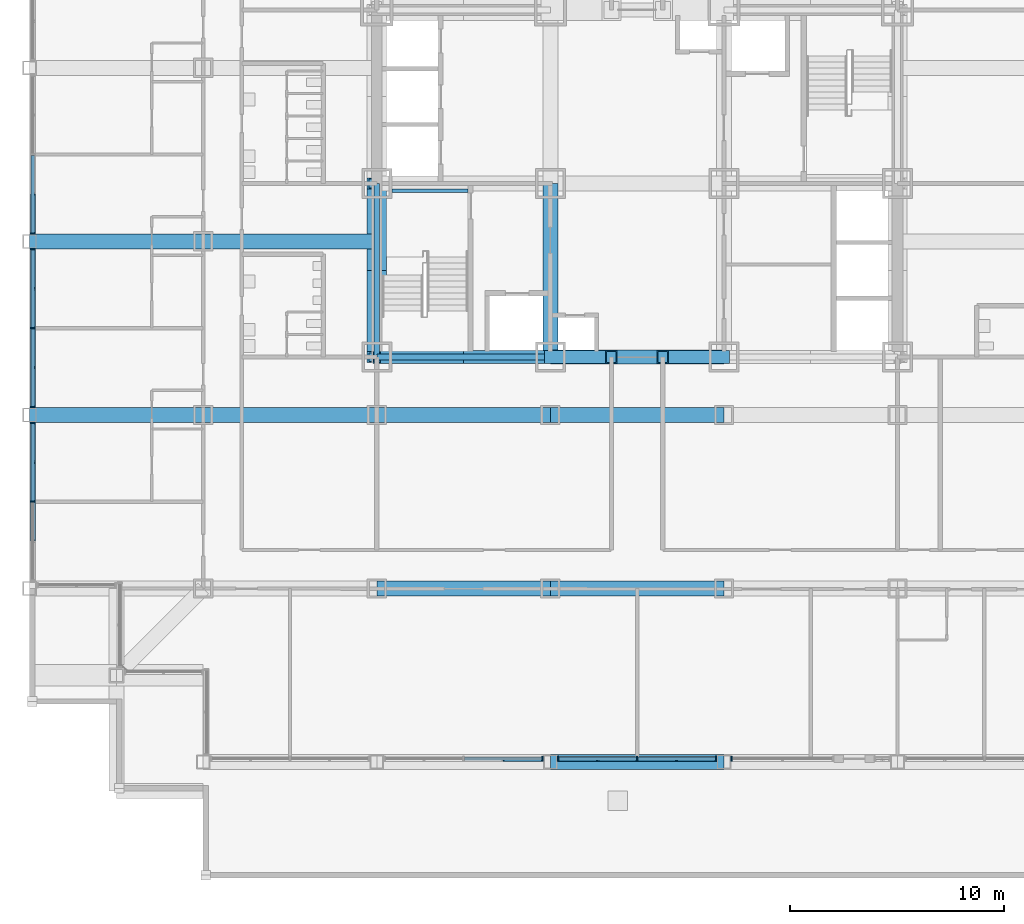
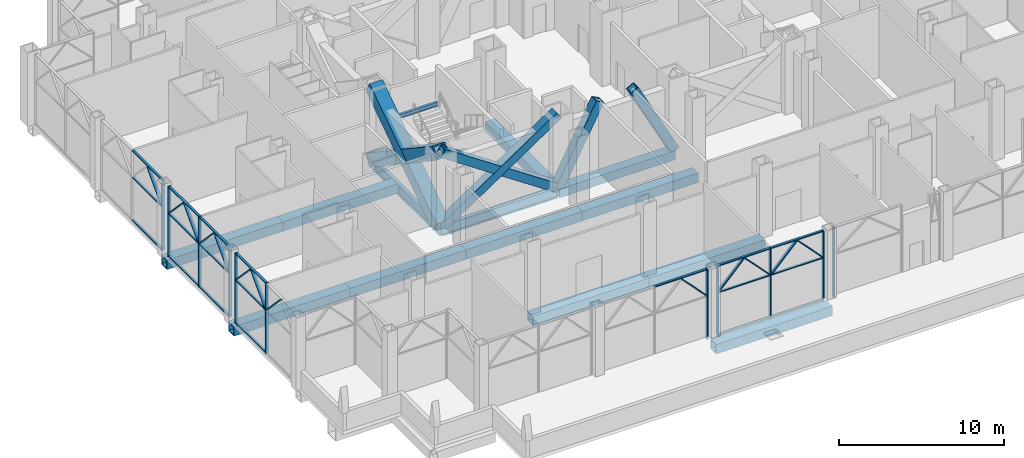
# One storey, part 3 of 26: 49 members, 14 beams, 6 elements without a shape of their own.
"""IFC4 building model written with IfcOpenShell, lengths in metres."""

from ifc_helpers import new_model, si_unit, direction, frame, origin, origin_2d, place, context, subcontext, project, spatial, rectangle, hollow_rectangle, i_section, extrude, material, material_profile, profile_set, type_object, element, aggregate, save


model = new_model("IFC4")

# Units and contexts
model_context = context("Model", 3, precision=1e-05, world=origin(), true_north=direction((0.0, 1.0)))
body_context = subcontext(model_context, "Body", "Model", "MODEL_VIEW")
ifc_project = project(units=[si_unit("LENGTHUNIT", "METRE"), si_unit("AREAUNIT", "SQUARE_METRE"), si_unit("VOLUMEUNIT", "CUBIC_METRE"), si_unit("PLANEANGLEUNIT", "RADIAN"), si_unit("MASSUNIT", "GRAM", prefix="KILO")], contexts=[model_context])

# Site, building, storey
site_placement = place(None, origin())
site = spatial("IfcSite", under=ifc_project, at=site_placement, CompositionType="ELEMENT")
building_placement = place(site_placement, origin())
building = spatial("IfcBuilding", under=site, at=building_placement, Name="Kopane Lantern Tower", CompositionType="ELEMENT")
storey_placement = place(building_placement, frame((0.0, 0.0, 98.0)))
storey = spatial("IfcBuildingStorey", under=building, at=storey_placement, Name="L24", CompositionType="ELEMENT", Elevation=98.0)

# Members
ifc_material_1 = material(Name="Steel S355JR", Category="steel")
ifc_material_profile_1 = material_profile(ifc_material_1, hollow_rectangle(XDim=0.60009765625, YDim=0.60009765625, WallThickness=0.050048828125, at=origin_2d()), Name="BOX 600x600x50")
ifc_profile_set_1 = profile_set([ifc_material_profile_1], Name="Steel S355JR")
member_type_1 = type_object("IfcMemberType", Name="BRACE BOX 600x600x50", PredefinedType="BRACE", material=ifc_profile_set_1)
for number, where, z_axis, x_axis, name in (
    (1, (16.199951171875, 24.300048828125, -0.25), (0.830159256911, 0.0, 0.557526329571), (0.0, 1.0, 0.0), "Core brace L24"),
    (2, (24.300048828125, 24.300048828125, -0.25), (-0.830159256911, 0.0, 0.557526329571), (0.0, -1.0, 0.0), "Core brace L24"),
):
    element("IfcMember", number, at=place(storey_placement, frame(where, z_axis=z_axis, x_axis=x_axis)), inside=storey, type_object=member_type_1, Name=name, PredefinedType="BRACE", context=body_context, shape_type="SweptSolid", body=[
        extrude(hollow_rectangle(XDim=0.60009765625, YDim=0.60009765625, WallThickness=0.050048828125, at=origin_2d()), origin(), (0.0, 0.0, 1.0), 9.75732421875),
    ])
for number, where, z_axis, x_axis, name in (
    (3, (24.300048828125, 24.300048828125, -0.25), (0.464053044063, 0.0, 0.885807412645), (0.0, 1.0, 0.0), "Core brace L24"),
    (4, (32.39990234375, 24.300048828125, -0.25), (-0.464053044063, 0.0, 0.885807412645), (0.0, -1.0, 0.0), "Core brace L24"),
):
    element("IfcMember", number, at=place(storey_placement, frame(where, z_axis=z_axis, x_axis=x_axis)), inside=storey, type_object=member_type_1, Name=name, PredefinedType="BRACE", context=body_context, shape_type="SweptSolid", body=[
        extrude(hollow_rectangle(XDim=0.60009765625, YDim=0.60009765625, WallThickness=0.050048828125, at=origin_2d()), origin(), (0.0, 0.0, 1.0), 6.14111328125),
    ])
ifc_material_2 = material(Name="Steel S355JR", Category="steel")
ifc_material_profile_2 = material_profile(ifc_material_2, hollow_rectangle(XDim=0.89990234375, YDim=0.89990234375, WallThickness=0.090087890625, at=origin_2d()), Name="BOX 900x900x90")
ifc_profile_set_2 = profile_set([ifc_material_profile_2], Name="Steel S355JR")
member_type_2 = type_object("IfcMemberType", Name="BRACE BOX 900x900x90", PredefinedType="BRACE", material=ifc_profile_set_2)
for number, where, z_axis, x_axis, name in (
    (5, (16.199951171875, 24.300048828125, -0.25), (0.0, 0.830151479134, 0.557537910542), (-1.0, 0.0, 0.0), "Core brace L24"),
    (6, (16.199951171875, 32.39990234375, -0.25), (0.0, -0.830151479134, 0.557537910542), (1.0, 0.0, 0.0), "Core brace L24"),
):
    element("IfcMember", number, at=place(storey_placement, frame(where, z_axis=z_axis, x_axis=x_axis)), inside=storey, type_object=member_type_2, Name=name, PredefinedType="BRACE", context=body_context, shape_type="SweptSolid", body=[
        extrude(hollow_rectangle(XDim=0.89990234375, YDim=0.89990234375, WallThickness=0.090087890625, at=origin_2d()), origin(), (0.0, 0.0, 1.0), 9.757080078125),
    ])

# Beams
ifc_material_3 = material(Name="Steel S355JR", Category="steel")
ifc_material_profile_3 = material_profile(ifc_material_3, hollow_rectangle(XDim=0.699951171875, YDim=0.699951171875, WallThickness=0.06005859375, at=origin_2d()), Name="BOX 700x700x60")
ifc_profile_set_3 = profile_set([ifc_material_profile_3], Name="Steel S355JR")
beam_type_1 = type_object("IfcBeamType", Name="CORE BEAM BOX 700x700x60", PredefinedType="BEAM", material=ifc_profile_set_3)
beam_1_placement = place(storey_placement, frame((24.300048828125, 24.300048828125, -0.60009765625), z_axis=(0.0, 1.0, 0.0), x_axis=(-1.0, 0.0, 0.0)))
element("IfcBeam", 7, at=beam_1_placement, inside=storey, type_object=beam_type_1, Name="Core Beam L24", PredefinedType="BEAM", context=body_context, shape_type="SweptSolid", body=[
    extrude(hollow_rectangle(XDim=0.699951171875, YDim=0.699951171875, WallThickness=0.06005859375, at=origin_2d()), origin(), (0.0, 0.0, 1.0), 8.099853515625),
])
ifc_material_4 = material(Name="Steel S355JR", Category="steel")
ifc_material_profile_4 = material_profile(ifc_material_4, hollow_rectangle(XDim=0.699951171875, YDim=0.699951171875, WallThickness=0.06005859375, at=origin_2d()), Name="BOX 700x700x60")
ifc_profile_set_4 = profile_set([ifc_material_profile_4], Name="Steel S355JR")
beam_type_2 = type_object("IfcBeamType", Name="GIRDER BOX 700x700x60", PredefinedType="BEAM", material=ifc_profile_set_4)
for number, where, z_axis, x_axis, name in (
    (8, (0.0, 21.60009765625, -0.60009765625), (1.0, 0.0, 0.0), (0.0, 1.0, 0.0), "Girder L24"),
    (9, (0.0, 29.699951171875, -0.60009765625), (1.0, 0.0, 0.0), (0.0, 1.0, 0.0), "Girder L24"),
):
    element("IfcBeam", number, at=place(storey_placement, frame(where, z_axis=z_axis, x_axis=x_axis)), inside=storey, type_object=beam_type_2, Name=name, PredefinedType="BEAM", context=body_context, shape_type="SweptSolid", body=[
        extrude(hollow_rectangle(XDim=0.699951171875, YDim=0.699951171875, WallThickness=0.06005859375, at=origin_2d()), origin(), (0.0, 0.0, 1.0), 8.10009765625),
    ])
for number, where, z_axis, x_axis, name in (
    (10, (8.10009765625, 21.60009765625, -0.60009765625), (1.0, 0.0, 0.0), (0.0, 1.0, 0.0), "Girder L24"),
    (11, (8.10009765625, 29.699951171875, -0.60009765625), (1.0, 0.0, 0.0), (0.0, 1.0, 0.0), "Girder L24"),
):
    element("IfcBeam", number, at=place(storey_placement, frame(where, z_axis=z_axis, x_axis=x_axis)), inside=storey, type_object=beam_type_2, Name=name, PredefinedType="BEAM", context=body_context, shape_type="SweptSolid", body=[
        extrude(hollow_rectangle(XDim=0.699951171875, YDim=0.699951171875, WallThickness=0.06005859375, at=origin_2d()), origin(), (0.0, 0.0, 1.0), 8.099853515625),
    ])
for number, where, z_axis, x_axis, name in (
    (12, (16.199951171875, 13.5, -0.60009765625), (1.0, 0.0, 0.0), (0.0, 1.0, 0.0), "Girder L24"),
    (13, (16.199951171875, 21.60009765625, -0.60009765625), (1.0, 0.0, 0.0), (0.0, 1.0, 0.0), "Girder L24"),
):
    element("IfcBeam", number, at=place(storey_placement, frame(where, z_axis=z_axis, x_axis=x_axis)), inside=storey, type_object=beam_type_2, Name=name, PredefinedType="BEAM", context=body_context, shape_type="SweptSolid", body=[
        extrude(hollow_rectangle(XDim=0.699951171875, YDim=0.699951171875, WallThickness=0.06005859375, at=origin_2d()), origin(), (0.0, 0.0, 1.0), 8.10009765625),
    ])
for number, where, z_axis, x_axis, name in (
    (14, (24.300048828125, 5.39990234375, -0.60009765625), (1.0, 0.0, 0.0), (0.0, 1.0, 0.0), "Girder L24"),
    (15, (24.300048828125, 13.5, -0.60009765625), (1.0, 0.0, 0.0), (0.0, 1.0, 0.0), "Girder L24"),
    (16, (24.300048828125, 21.60009765625, -0.60009765625), (1.0, 0.0, 0.0), (0.0, 1.0, 0.0), "Girder L24"),
):
    element("IfcBeam", number, at=place(storey_placement, frame(where, z_axis=z_axis, x_axis=x_axis)), inside=storey, type_object=beam_type_2, Name=name, PredefinedType="BEAM", context=body_context, shape_type="SweptSolid", body=[
        extrude(hollow_rectangle(XDim=0.699951171875, YDim=0.699951171875, WallThickness=0.06005859375, at=origin_2d()), origin(), (0.0, 0.0, 1.0), 8.099853515625),
    ])
ifc_material_5 = material(Name="Steel S355JR", Category="steel")
ifc_material_profile_5 = material_profile(ifc_material_5, i_section(OverallWidth=0.2666015625, OverallDepth=0.76220703125, WebThickness=0.014404296875, FlangeThickness=0.021484375, FilletRadius=0.0166015625, at=origin_2d()), Name="UB 762x267x173")
ifc_profile_set_5 = profile_set([ifc_material_profile_5], Name="Steel S355JR")
beam_type_3 = type_object("IfcBeamType", Name="GIRDER UB 762x267x173", PredefinedType="BEAM", material=ifc_profile_set_5)
beam_2_placement = place(storey_placement, frame((16.199951171875, 24.300048828125, -0.631103515625), z_axis=(0.0, 1.0, 0.0), x_axis=(-1.0, 0.0, 0.0)))
element("IfcBeam", 17, at=beam_2_placement, inside=storey, type_object=beam_type_3, Name="Girder L24", PredefinedType="BEAM", context=body_context, shape_type="SweptSolid", body=[
    extrude(i_section(OverallWidth=0.2666015625, OverallDepth=0.76220703125, WebThickness=0.014404296875, FlangeThickness=0.021484375, FilletRadius=0.0166015625, at=origin_2d()), origin(), (0.0, 0.0, 1.0), 8.099853515625),
])
beam_3_placement = place(storey_placement, frame((16.199951171875, 24.300048828125, -0.631103515625), z_axis=(1.0, 0.0, 0.0), x_axis=(0.0, 1.0, 0.0)))
element("IfcBeam", 18, at=beam_3_placement, inside=storey, type_object=beam_type_3, Name="Girder L24", PredefinedType="BEAM", context=body_context, shape_type="SweptSolid", body=[
    extrude(i_section(OverallWidth=0.2666015625, OverallDepth=0.76220703125, WebThickness=0.014404296875, FlangeThickness=0.021484375, FilletRadius=0.0166015625, at=origin_2d()), origin(), (0.0, 0.0, 1.0), 8.10009765625),
])
ifc_material_6 = material(Name="Steel S355JR", Category="steel")
ifc_material_profile_6 = material_profile(ifc_material_6, hollow_rectangle(XDim=0.64990234375, YDim=0.64990234375, WallThickness=0.070068359375, at=origin_2d()), Name="BOX 650x650x70")
ifc_profile_set_6 = profile_set([ifc_material_profile_6], Name="Steel S355JR")
beam_type_4 = type_object("IfcBeamType", Name="LINK BEAM BOX 650x650x70", PredefinedType="BEAM", material=ifc_profile_set_6)
beam_4_placement = place(storey_placement, frame((24.300048828125, 24.300048828125, -0.574951171875), z_axis=(1.0, 0.0, 0.0), x_axis=(0.0, 1.0, 0.0)))
element("IfcBeam", 19, at=beam_4_placement, inside=storey, type_object=beam_type_4, Name="Link Beam L24", PredefinedType="BEAM", context=body_context, shape_type="SweptSolid", body=[
    extrude(hollow_rectangle(XDim=0.64990234375, YDim=0.64990234375, WallThickness=0.070068359375, at=origin_2d()), origin(), (0.0, 0.0, 1.0), 8.099853515625),
])

# Curtain wall, members
ifc_material_7 = material(Name="Aluminium and clear glass", Category="aluminium")
curtain_wall_type = type_object("IfcCurtainWallType", Name="CURTAIN WALL CW3 SKY LOBBY", PredefinedType="USERDEFINED", material=ifc_material_7)
curtain_wall_1_placement = place(storey_placement, origin())
curtain_wall_1 = element("IfcCurtainWall", 20, at=curtain_wall_1_placement, inside=storey, type_object=curtain_wall_type, Name="Curtain wall CW3 S L24", ObjectType="CURTAIN WALL", PredefinedType="USERDEFINED")
ifc_material_8 = material(Name="Aluminium", Category="aluminium")
ifc_material_profile_7 = material_profile(ifc_material_8, rectangle(XDim=0.070068359375, YDim=0.22509765625, at=origin_2d()), Name="AL 70x225")
ifc_profile_set_7 = profile_set([ifc_material_profile_7], Name="Aluminium")
member_type_3 = type_object("IfcMemberType", Name="MULLION CW3-M 70x225", PredefinedType="MULLION", material=ifc_profile_set_7)
member_1_placement = place(storey_placement, frame((23.93505859375, 5.550048828125, 0.0), z_axis=(0.0, 0.0, 1.0), x_axis=(1.0, 0.0, 0.0)))
member_1 = element("IfcMember", 21, at=member_1_placement, type_object=member_type_3, Name="CW3 mullion 3", PredefinedType="MULLION", context=body_context, shape_type="SweptSolid", body=[
    extrude(rectangle(XDim=0.070068359375, YDim=0.22509765625, at=origin_2d()), origin(), (0.0, 0.0, 1.0), 5.18994140625),
])
member_2_placement = place(storey_placement, frame((23.87451171875, 5.550048828125, 3.2490234375), z_axis=(-0.689164705863, 0.0, 0.724604725483), x_axis=(0.724604725483, 0.0, 0.689164705863)))
member_2 = element("IfcMember", 22, at=member_2_placement, type_object=member_type_3, Name="CW3 lancet mullion 2R", PredefinedType="MULLION", context=body_context, shape_type="SweptSolid", body=[
    extrude(rectangle(XDim=0.070068359375, YDim=0.22509765625, at=origin_2d()), origin(), (0.0, 0.0, 1.0), 2.548828125),
])

curtain_wall_2_placement = place(storey_placement, origin())
curtain_wall_2 = element("IfcCurtainWall", 23, at=curtain_wall_2_placement, inside=storey, type_object=curtain_wall_type, Name="Curtain wall CW3 S L24", ObjectType="CURTAIN WALL", PredefinedType="USERDEFINED")
member_3_placement = place(storey_placement, frame((24.6650390625, 5.550048828125, 0.0), z_axis=(0.0, 0.0, 1.0), x_axis=(1.0, 0.0, 0.0)))
member_3 = element("IfcMember", 24, at=member_3_placement, type_object=member_type_3, Name="CW3 mullion 1", PredefinedType="MULLION", context=body_context, shape_type="SweptSolid", body=[
    extrude(rectangle(XDim=0.070068359375, YDim=0.22509765625, at=origin_2d()), origin(), (0.0, 0.0, 1.0), 5.18994140625),
])
member_4_placement = place(storey_placement, frame((28.35009765625, 5.550048828125, 0.0), z_axis=(0.0, 0.0, 1.0), x_axis=(1.0, 0.0, 0.0)))
member_4 = element("IfcMember", 25, at=member_4_placement, type_object=member_type_3, Name="CW3 mullion 2", PredefinedType="MULLION", context=body_context, shape_type="SweptSolid", body=[
    extrude(rectangle(XDim=0.070068359375, YDim=0.22509765625, at=origin_2d()), origin(), (0.0, 0.0, 1.0), 5.18994140625),
])
member_5_placement = place(storey_placement, frame((32.034912109375, 5.550048828125, 0.0), z_axis=(0.0, 0.0, 1.0), x_axis=(1.0, 0.0, 0.0)))
member_5 = element("IfcMember", 26, at=member_5_placement, type_object=member_type_3, Name="CW3 mullion 3", PredefinedType="MULLION", context=body_context, shape_type="SweptSolid", body=[
    extrude(rectangle(XDim=0.070068359375, YDim=0.22509765625, at=origin_2d()), origin(), (0.0, 0.0, 1.0), 5.18994140625),
])
member_6_placement = place(storey_placement, frame((24.725341796875, 5.550048828125, 3.2490234375), z_axis=(0.689214992379, 0.0, 0.724556895129), x_axis=(-0.724556895129, 0.0, 0.689214992379)))
member_6 = element("IfcMember", 27, at=member_6_placement, type_object=member_type_3, Name="CW3 lancet mullion 1L", PredefinedType="MULLION", context=body_context, shape_type="SweptSolid", body=[
    extrude(rectangle(XDim=0.070068359375, YDim=0.22509765625, at=origin_2d()), origin(), (0.0, 0.0, 1.0), 2.549072265625),
])
member_7_placement = place(storey_placement, frame((28.28955078125, 5.550048828125, 3.2490234375), z_axis=(-0.689164705863, 0.0, 0.724604725483), x_axis=(0.724604725483, 0.0, 0.689164705863)))
member_7 = element("IfcMember", 28, at=member_7_placement, type_object=member_type_3, Name="CW3 lancet mullion 1R", PredefinedType="MULLION", context=body_context, shape_type="SweptSolid", body=[
    extrude(rectangle(XDim=0.070068359375, YDim=0.22509765625, at=origin_2d()), origin(), (0.0, 0.0, 1.0), 2.548828125),
])
member_8_placement = place(storey_placement, frame((28.410400390625, 5.550048828125, 3.2490234375), z_axis=(0.689164705863, 0.0, 0.724604725483), x_axis=(-0.724604725483, 0.0, 0.689164705863)))
member_8 = element("IfcMember", 29, at=member_8_placement, type_object=member_type_3, Name="CW3 lancet mullion 2L", PredefinedType="MULLION", context=body_context, shape_type="SweptSolid", body=[
    extrude(rectangle(XDim=0.070068359375, YDim=0.22509765625, at=origin_2d()), origin(), (0.0, 0.0, 1.0), 2.548828125),
])
member_9_placement = place(storey_placement, frame((31.974609375, 5.550048828125, 3.2490234375), z_axis=(-0.689164705863, 0.0, 0.724604725483), x_axis=(0.724604725483, 0.0, 0.689164705863)))
member_9 = element("IfcMember", 30, at=member_9_placement, type_object=member_type_3, Name="CW3 lancet mullion 2R", PredefinedType="MULLION", context=body_context, shape_type="SweptSolid", body=[
    extrude(rectangle(XDim=0.070068359375, YDim=0.22509765625, at=origin_2d()), origin(), (0.0, 0.0, 1.0), 2.548828125),
])

# Curtain wall, member
curtain_wall_3_placement = place(storey_placement, origin())
curtain_wall_3 = element("IfcCurtainWall", 31, at=curtain_wall_3_placement, inside=storey, type_object=curtain_wall_type, Name="Curtain wall CW3 S L24", ObjectType="CURTAIN WALL", PredefinedType="USERDEFINED")
member_10_placement = place(storey_placement, frame((32.764892578125, 5.550048828125, 0.0), z_axis=(0.0, 0.0, 1.0), x_axis=(1.0, 0.0, 0.0)))
member_10 = element("IfcMember", 32, at=member_10_placement, type_object=member_type_3, Name="CW3 mullion 1", PredefinedType="MULLION", context=body_context, shape_type="SweptSolid", body=[
    extrude(rectangle(XDim=0.070068359375, YDim=0.22509765625, at=origin_2d()), origin(), (0.0, 0.0, 1.0), 5.18994140625),
])
aggregate(curtain_wall_3, [member_10])

# Curtain wall, members
curtain_wall_4_placement = place(storey_placement, origin())
curtain_wall_4 = element("IfcCurtainWall", 33, at=curtain_wall_4_placement, inside=storey, type_object=curtain_wall_type, Name="Curtain wall CW3 W L24", ObjectType="CURTAIN WALL", PredefinedType="USERDEFINED")
member_11_placement = place(storey_placement, frame((0.14990234375, 30.06494140625, 0.0), z_axis=(0.0, 0.0, 1.0), x_axis=(0.0, -1.0, 0.0)))
member_11 = element("IfcMember", 34, at=member_11_placement, type_object=member_type_3, Name="CW3 mullion 3", PredefinedType="MULLION", context=body_context, shape_type="SweptSolid", body=[
    extrude(rectangle(XDim=0.070068359375, YDim=0.22509765625, at=origin_2d()), origin(), (0.0, 0.0, 1.0), 5.18994140625),
])
member_12_placement = place(storey_placement, frame((0.14990234375, 30.12548828125, 3.2490234375), z_axis=(0.0, 0.689164705863, 0.724604725483), x_axis=(0.0, -0.724604725483, 0.689164705863)))
member_12 = element("IfcMember", 35, at=member_12_placement, type_object=member_type_3, Name="CW3 lancet mullion 2R", PredefinedType="MULLION", context=body_context, shape_type="SweptSolid", body=[
    extrude(rectangle(XDim=0.070068359375, YDim=0.22509765625, at=origin_2d()), origin(), (0.0, 0.0, 1.0), 2.548828125),
])

curtain_wall_5_placement = place(storey_placement, origin())
curtain_wall_5 = element("IfcCurtainWall", 36, at=curtain_wall_5_placement, inside=storey, type_object=curtain_wall_type, Name="Curtain wall CW3 W L24", ObjectType="CURTAIN WALL", PredefinedType="USERDEFINED")
member_13_placement = place(storey_placement, frame((0.14990234375, 29.3349609375, 0.0), z_axis=(0.0, 0.0, 1.0), x_axis=(0.0, -1.0, 0.0)))
member_13 = element("IfcMember", 37, at=member_13_placement, type_object=member_type_3, Name="CW3 mullion 1", PredefinedType="MULLION", context=body_context, shape_type="SweptSolid", body=[
    extrude(rectangle(XDim=0.070068359375, YDim=0.22509765625, at=origin_2d()), origin(), (0.0, 0.0, 1.0), 5.18994140625),
])
member_14_placement = place(storey_placement, frame((0.14990234375, 25.64990234375, 0.0), z_axis=(0.0, 0.0, 1.0), x_axis=(0.0, -1.0, 0.0)))
member_14 = element("IfcMember", 38, at=member_14_placement, type_object=member_type_3, Name="CW3 mullion 2", PredefinedType="MULLION", context=body_context, shape_type="SweptSolid", body=[
    extrude(rectangle(XDim=0.070068359375, YDim=0.22509765625, at=origin_2d()), origin(), (0.0, 0.0, 1.0), 5.18994140625),
])
member_15_placement = place(storey_placement, frame((0.14990234375, 21.965087890625, 0.0), z_axis=(0.0, 0.0, 1.0), x_axis=(0.0, -1.0, 0.0)))
member_15 = element("IfcMember", 39, at=member_15_placement, type_object=member_type_3, Name="CW3 mullion 3", PredefinedType="MULLION", context=body_context, shape_type="SweptSolid", body=[
    extrude(rectangle(XDim=0.070068359375, YDim=0.22509765625, at=origin_2d()), origin(), (0.0, 0.0, 1.0), 5.18994140625),
])
member_16_placement = place(storey_placement, frame((0.14990234375, 29.274658203125, 3.2490234375), z_axis=(0.0, -0.689214992379, 0.724556895129), x_axis=(0.0, 0.724556895129, 0.689214992379)))
member_16 = element("IfcMember", 40, at=member_16_placement, type_object=member_type_3, Name="CW3 lancet mullion 1L", PredefinedType="MULLION", context=body_context, shape_type="SweptSolid", body=[
    extrude(rectangle(XDim=0.070068359375, YDim=0.22509765625, at=origin_2d()), origin(), (0.0, 0.0, 1.0), 2.549072265625),
])
member_17_placement = place(storey_placement, frame((0.14990234375, 25.71044921875, 3.2490234375), z_axis=(0.0, 0.689164705863, 0.724604725483), x_axis=(0.0, -0.724604725483, 0.689164705863)))
member_17 = element("IfcMember", 41, at=member_17_placement, type_object=member_type_3, Name="CW3 lancet mullion 1R", PredefinedType="MULLION", context=body_context, shape_type="SweptSolid", body=[
    extrude(rectangle(XDim=0.070068359375, YDim=0.22509765625, at=origin_2d()), origin(), (0.0, 0.0, 1.0), 2.548828125),
])
member_18_placement = place(storey_placement, frame((0.14990234375, 25.589599609375, 3.2490234375), z_axis=(0.0, -0.689164705863, 0.724604725483), x_axis=(0.0, 0.724604725483, 0.689164705863)))
member_18 = element("IfcMember", 42, at=member_18_placement, type_object=member_type_3, Name="CW3 lancet mullion 2L", PredefinedType="MULLION", context=body_context, shape_type="SweptSolid", body=[
    extrude(rectangle(XDim=0.070068359375, YDim=0.22509765625, at=origin_2d()), origin(), (0.0, 0.0, 1.0), 2.548828125),
])
member_19_placement = place(storey_placement, frame((0.14990234375, 22.025390625, 3.2490234375), z_axis=(0.0, 0.689164705863, 0.724604725483), x_axis=(0.0, -0.724604725483, 0.689164705863)))
member_19 = element("IfcMember", 43, at=member_19_placement, type_object=member_type_3, Name="CW3 lancet mullion 2R", PredefinedType="MULLION", context=body_context, shape_type="SweptSolid", body=[
    extrude(rectangle(XDim=0.070068359375, YDim=0.22509765625, at=origin_2d()), origin(), (0.0, 0.0, 1.0), 2.548828125),
])

curtain_wall_6_placement = place(storey_placement, origin())
curtain_wall_6 = element("IfcCurtainWall", 44, at=curtain_wall_6_placement, inside=storey, type_object=curtain_wall_type, Name="Curtain wall CW3 W L24", ObjectType="CURTAIN WALL", PredefinedType="USERDEFINED")
member_20_placement = place(storey_placement, frame((0.14990234375, 21.235107421875, 0.0), z_axis=(0.0, 0.0, 1.0), x_axis=(0.0, -1.0, 0.0)))
member_20 = element("IfcMember", 45, at=member_20_placement, type_object=member_type_3, Name="CW3 mullion 1", PredefinedType="MULLION", context=body_context, shape_type="SweptSolid", body=[
    extrude(rectangle(XDim=0.070068359375, YDim=0.22509765625, at=origin_2d()), origin(), (0.0, 0.0, 1.0), 5.18994140625),
])
member_21_placement = place(storey_placement, frame((0.14990234375, 17.550048828125, 0.0), z_axis=(0.0, 0.0, 1.0), x_axis=(0.0, -1.0, 0.0)))
member_21 = element("IfcMember", 46, at=member_21_placement, type_object=member_type_3, Name="CW3 mullion 2", PredefinedType="MULLION", context=body_context, shape_type="SweptSolid", body=[
    extrude(rectangle(XDim=0.070068359375, YDim=0.22509765625, at=origin_2d()), origin(), (0.0, 0.0, 1.0), 5.18994140625),
])
member_22_placement = place(storey_placement, frame((0.14990234375, 21.174560546875, 3.2490234375), z_axis=(0.0, -0.689164705863, 0.724604725483), x_axis=(0.0, 0.724604725483, 0.689164705863)))
member_22 = element("IfcMember", 47, at=member_22_placement, type_object=member_type_3, Name="CW3 lancet mullion 1L", PredefinedType="MULLION", context=body_context, shape_type="SweptSolid", body=[
    extrude(rectangle(XDim=0.070068359375, YDim=0.22509765625, at=origin_2d()), origin(), (0.0, 0.0, 1.0), 2.548828125),
])
member_23_placement = place(storey_placement, frame((0.14990234375, 17.6103515625, 3.2490234375), z_axis=(0.0, 0.689214992379, 0.724556895129), x_axis=(0.0, -0.724556895129, 0.689214992379)))
member_23 = element("IfcMember", 48, at=member_23_placement, type_object=member_type_3, Name="CW3 lancet mullion 1R", PredefinedType="MULLION", context=body_context, shape_type="SweptSolid", body=[
    extrude(rectangle(XDim=0.070068359375, YDim=0.22509765625, at=origin_2d()), origin(), (0.0, 0.0, 1.0), 2.549072265625),
])
member_24_placement = place(storey_placement, frame((0.14990234375, 17.489501953125, 3.2490234375), z_axis=(0.0, -0.689164705863, 0.724604725483), x_axis=(0.0, 0.724604725483, 0.689164705863)))
member_24 = element("IfcMember", 49, at=member_24_placement, type_object=member_type_3, Name="CW3 lancet mullion 2L", PredefinedType="MULLION", context=body_context, shape_type="SweptSolid", body=[
    extrude(rectangle(XDim=0.070068359375, YDim=0.22509765625, at=origin_2d()), origin(), (0.0, 0.0, 1.0), 2.548828125),
])

# Beam
ifc_material_9 = material(Name="Steel S355JR", Category="steel")
ifc_material_profile_8 = material_profile(ifc_material_9, i_section(OverallWidth=0.1650390625, OverallDepth=0.303466796875, WebThickness=0.006103515625, FlangeThickness=0.01025390625, FilletRadius=0.0087890625, at=origin_2d()), Name="UB 305x165x40")
ifc_profile_set_8 = profile_set([ifc_material_profile_8], Name="Steel S355JR")
beam_type_5 = type_object("IfcBeamType", Name="STAIR LANDING BEAM UB 305x165x40", PredefinedType="BEAM", material=ifc_profile_set_8)
beam_5_placement = place(storey_placement, frame((16.89990234375, 32.0673828125, 2.51708984375), z_axis=(1.0, 0.0, 0.0), x_axis=(0.0, 1.0, 0.0)))
element("IfcBeam", 50, at=beam_5_placement, inside=storey, type_object=beam_type_5, Name="Stair landing beam ST1 L24", PredefinedType="BEAM", context=body_context, shape_type="SweptSolid", body=[
    extrude(i_section(OverallWidth=0.1650390625, OverallDepth=0.303466796875, WebThickness=0.006103515625, FlangeThickness=0.01025390625, FilletRadius=0.0087890625, at=origin_2d()), origin(), (0.0, 0.0, 1.0), 3.550048828125),
])

# Member
ifc_material_10 = material(Name="Aluminium", Category="aluminium")
ifc_material_profile_9 = material_profile(ifc_material_10, rectangle(XDim=0.159912109375, YDim=0.070068359375, at=origin_2d()), Name="AL 160x70")
ifc_profile_set_9 = profile_set([ifc_material_profile_9], Name="Aluminium")
member_type_4 = type_object("IfcMemberType", Name="TRANSOM CW3-T 70x160", PredefinedType="USERDEFINED", material=ifc_profile_set_9)
member_25_placement = place(storey_placement, frame((20.284912109375, 5.550048828125, 5.155029296875), z_axis=(1.0, 0.0, 0.0), x_axis=(0.0, 1.0, 0.0)))
member_25 = element("IfcMember", 51, at=member_25_placement, type_object=member_type_4, Name="CW3 transom 2.3", ObjectType="TRANSOM", PredefinedType="USERDEFINED", context=body_context, shape_type="SweptSolid", body=[
    extrude(rectangle(XDim=0.159912109375, YDim=0.070068359375, at=origin_2d()), origin(), (0.0, 0.0, 1.0), 3.614990234375),
])

aggregate(curtain_wall_1, [member_1, member_25, member_2])

member_26_placement = place(storey_placement, frame((24.699951171875, 5.550048828125, 0.034912109375), z_axis=(1.0, 0.0, 0.0), x_axis=(0.0, 1.0, 0.0)))
member_26 = element("IfcMember", 52, at=member_26_placement, type_object=member_type_4, Name="CW3 transom 1.1", ObjectType="TRANSOM", PredefinedType="USERDEFINED", context=body_context, shape_type="SweptSolid", body=[
    extrude(rectangle(XDim=0.159912109375, YDim=0.070068359375, at=origin_2d()), origin(), (0.0, 0.0, 1.0), 3.614990234375),
])

member_27_placement = place(storey_placement, frame((24.699951171875, 5.550048828125, 3.18994140625), z_axis=(1.0, 0.0, 0.0), x_axis=(0.0, 1.0, 0.0)))
member_27 = element("IfcMember", 53, at=member_27_placement, type_object=member_type_4, Name="CW3 transom 1.2", ObjectType="TRANSOM", PredefinedType="USERDEFINED", context=body_context, shape_type="SweptSolid", body=[
    extrude(rectangle(XDim=0.159912109375, YDim=0.070068359375, at=origin_2d()), origin(), (0.0, 0.0, 1.0), 3.614990234375),
])

member_28_placement = place(storey_placement, frame((24.699951171875, 5.550048828125, 5.155029296875), z_axis=(1.0, 0.0, 0.0), x_axis=(0.0, 1.0, 0.0)))
member_28 = element("IfcMember", 54, at=member_28_placement, type_object=member_type_4, Name="CW3 transom 1.3", ObjectType="TRANSOM", PredefinedType="USERDEFINED", context=body_context, shape_type="SweptSolid", body=[
    extrude(rectangle(XDim=0.159912109375, YDim=0.070068359375, at=origin_2d()), origin(), (0.0, 0.0, 1.0), 3.614990234375),
])

member_29_placement = place(storey_placement, frame((28.385009765625, 5.550048828125, 0.034912109375), z_axis=(1.0, 0.0, 0.0), x_axis=(0.0, 1.0, 0.0)))
member_29 = element("IfcMember", 55, at=member_29_placement, type_object=member_type_4, Name="CW3 transom 2.1", ObjectType="TRANSOM", PredefinedType="USERDEFINED", context=body_context, shape_type="SweptSolid", body=[
    extrude(rectangle(XDim=0.159912109375, YDim=0.070068359375, at=origin_2d()), origin(), (0.0, 0.0, 1.0), 3.614990234375),
])

member_30_placement = place(storey_placement, frame((28.385009765625, 5.550048828125, 3.18994140625), z_axis=(1.0, 0.0, 0.0), x_axis=(0.0, 1.0, 0.0)))
member_30 = element("IfcMember", 56, at=member_30_placement, type_object=member_type_4, Name="CW3 transom 2.2", ObjectType="TRANSOM", PredefinedType="USERDEFINED", context=body_context, shape_type="SweptSolid", body=[
    extrude(rectangle(XDim=0.159912109375, YDim=0.070068359375, at=origin_2d()), origin(), (0.0, 0.0, 1.0), 3.614990234375),
])

member_31_placement = place(storey_placement, frame((28.385009765625, 5.550048828125, 5.155029296875), z_axis=(1.0, 0.0, 0.0), x_axis=(0.0, 1.0, 0.0)))
member_31 = element("IfcMember", 57, at=member_31_placement, type_object=member_type_4, Name="CW3 transom 2.3", ObjectType="TRANSOM", PredefinedType="USERDEFINED", context=body_context, shape_type="SweptSolid", body=[
    extrude(rectangle(XDim=0.159912109375, YDim=0.070068359375, at=origin_2d()), origin(), (0.0, 0.0, 1.0), 3.614990234375),
])

aggregate(curtain_wall_2, [member_3, member_4, member_5, member_26, member_27, member_28, member_29, member_30, member_31, member_6, member_7, member_8, member_9])

member_32_placement = place(storey_placement, frame((0.14990234375, 33.715087890625, 0.034912109375), z_axis=(0.0, -1.0, 0.0), x_axis=(1.0, 0.0, 0.0)))
member_32 = element("IfcMember", 58, at=member_32_placement, type_object=member_type_4, Name="CW3 transom 2.1", ObjectType="TRANSOM", PredefinedType="USERDEFINED", context=body_context, shape_type="SweptSolid", body=[
    extrude(rectangle(XDim=0.159912109375, YDim=0.070068359375, at=origin_2d()), origin(), (0.0, 0.0, 1.0), 3.614990234375),
])

member_33_placement = place(storey_placement, frame((0.14990234375, 33.715087890625, 3.18994140625), z_axis=(0.0, -1.0, 0.0), x_axis=(1.0, 0.0, 0.0)))
member_33 = element("IfcMember", 59, at=member_33_placement, type_object=member_type_4, Name="CW3 transom 2.2", ObjectType="TRANSOM", PredefinedType="USERDEFINED", context=body_context, shape_type="SweptSolid", body=[
    extrude(rectangle(XDim=0.159912109375, YDim=0.070068359375, at=origin_2d()), origin(), (0.0, 0.0, 1.0), 3.614990234375),
])

member_34_placement = place(storey_placement, frame((0.14990234375, 33.715087890625, 5.155029296875), z_axis=(0.0, -1.0, 0.0), x_axis=(1.0, 0.0, 0.0)))
member_34 = element("IfcMember", 60, at=member_34_placement, type_object=member_type_4, Name="CW3 transom 2.3", ObjectType="TRANSOM", PredefinedType="USERDEFINED", context=body_context, shape_type="SweptSolid", body=[
    extrude(rectangle(XDim=0.159912109375, YDim=0.070068359375, at=origin_2d()), origin(), (0.0, 0.0, 1.0), 3.614990234375),
])

aggregate(curtain_wall_4, [member_11, member_32, member_33, member_34, member_12])

member_35_placement = place(storey_placement, frame((0.14990234375, 29.300048828125, 0.034912109375), z_axis=(0.0, -1.0, 0.0), x_axis=(1.0, 0.0, 0.0)))
member_35 = element("IfcMember", 61, at=member_35_placement, type_object=member_type_4, Name="CW3 transom 1.1", ObjectType="TRANSOM", PredefinedType="USERDEFINED", context=body_context, shape_type="SweptSolid", body=[
    extrude(rectangle(XDim=0.159912109375, YDim=0.070068359375, at=origin_2d()), origin(), (0.0, 0.0, 1.0), 3.614990234375),
])

member_36_placement = place(storey_placement, frame((0.14990234375, 29.300048828125, 3.18994140625), z_axis=(0.0, -1.0, 0.0), x_axis=(1.0, 0.0, 0.0)))
member_36 = element("IfcMember", 62, at=member_36_placement, type_object=member_type_4, Name="CW3 transom 1.2", ObjectType="TRANSOM", PredefinedType="USERDEFINED", context=body_context, shape_type="SweptSolid", body=[
    extrude(rectangle(XDim=0.159912109375, YDim=0.070068359375, at=origin_2d()), origin(), (0.0, 0.0, 1.0), 3.614990234375),
])

member_37_placement = place(storey_placement, frame((0.14990234375, 29.300048828125, 5.155029296875), z_axis=(0.0, -1.0, 0.0), x_axis=(1.0, 0.0, 0.0)))
member_37 = element("IfcMember", 63, at=member_37_placement, type_object=member_type_4, Name="CW3 transom 1.3", ObjectType="TRANSOM", PredefinedType="USERDEFINED", context=body_context, shape_type="SweptSolid", body=[
    extrude(rectangle(XDim=0.159912109375, YDim=0.070068359375, at=origin_2d()), origin(), (0.0, 0.0, 1.0), 3.614990234375),
])

member_38_placement = place(storey_placement, frame((0.14990234375, 25.614990234375, 0.034912109375), z_axis=(0.0, -1.0, 0.0), x_axis=(1.0, 0.0, 0.0)))
member_38 = element("IfcMember", 64, at=member_38_placement, type_object=member_type_4, Name="CW3 transom 2.1", ObjectType="TRANSOM", PredefinedType="USERDEFINED", context=body_context, shape_type="SweptSolid", body=[
    extrude(rectangle(XDim=0.159912109375, YDim=0.070068359375, at=origin_2d()), origin(), (0.0, 0.0, 1.0), 3.614990234375),
])

member_39_placement = place(storey_placement, frame((0.14990234375, 25.614990234375, 3.18994140625), z_axis=(0.0, -1.0, 0.0), x_axis=(1.0, 0.0, 0.0)))
member_39 = element("IfcMember", 65, at=member_39_placement, type_object=member_type_4, Name="CW3 transom 2.2", ObjectType="TRANSOM", PredefinedType="USERDEFINED", context=body_context, shape_type="SweptSolid", body=[
    extrude(rectangle(XDim=0.159912109375, YDim=0.070068359375, at=origin_2d()), origin(), (0.0, 0.0, 1.0), 3.614990234375),
])

member_40_placement = place(storey_placement, frame((0.14990234375, 25.614990234375, 5.155029296875), z_axis=(0.0, -1.0, 0.0), x_axis=(1.0, 0.0, 0.0)))
member_40 = element("IfcMember", 66, at=member_40_placement, type_object=member_type_4, Name="CW3 transom 2.3", ObjectType="TRANSOM", PredefinedType="USERDEFINED", context=body_context, shape_type="SweptSolid", body=[
    extrude(rectangle(XDim=0.159912109375, YDim=0.070068359375, at=origin_2d()), origin(), (0.0, 0.0, 1.0), 3.614990234375),
])

aggregate(curtain_wall_5, [member_13, member_14, member_15, member_35, member_36, member_37, member_38, member_39, member_40, member_16, member_17, member_18, member_19])

member_41_placement = place(storey_placement, frame((0.14990234375, 21.199951171875, 0.034912109375), z_axis=(0.0, -1.0, 0.0), x_axis=(1.0, 0.0, 0.0)))
member_41 = element("IfcMember", 67, at=member_41_placement, type_object=member_type_4, Name="CW3 transom 1.1", ObjectType="TRANSOM", PredefinedType="USERDEFINED", context=body_context, shape_type="SweptSolid", body=[
    extrude(rectangle(XDim=0.159912109375, YDim=0.070068359375, at=origin_2d()), origin(), (0.0, 0.0, 1.0), 3.614990234375),
])

member_42_placement = place(storey_placement, frame((0.14990234375, 21.199951171875, 3.18994140625), z_axis=(0.0, -1.0, 0.0), x_axis=(1.0, 0.0, 0.0)))
member_42 = element("IfcMember", 68, at=member_42_placement, type_object=member_type_4, Name="CW3 transom 1.2", ObjectType="TRANSOM", PredefinedType="USERDEFINED", context=body_context, shape_type="SweptSolid", body=[
    extrude(rectangle(XDim=0.159912109375, YDim=0.070068359375, at=origin_2d()), origin(), (0.0, 0.0, 1.0), 3.614990234375),
])

member_43_placement = place(storey_placement, frame((0.14990234375, 21.199951171875, 5.155029296875), z_axis=(0.0, -1.0, 0.0), x_axis=(1.0, 0.0, 0.0)))
member_43 = element("IfcMember", 69, at=member_43_placement, type_object=member_type_4, Name="CW3 transom 1.3", ObjectType="TRANSOM", PredefinedType="USERDEFINED", context=body_context, shape_type="SweptSolid", body=[
    extrude(rectangle(XDim=0.159912109375, YDim=0.070068359375, at=origin_2d()), origin(), (0.0, 0.0, 1.0), 3.614990234375),
])

aggregate(curtain_wall_6, [member_20, member_21, member_41, member_42, member_43, member_22, member_23, member_24])

save(model, "model.ifc")
